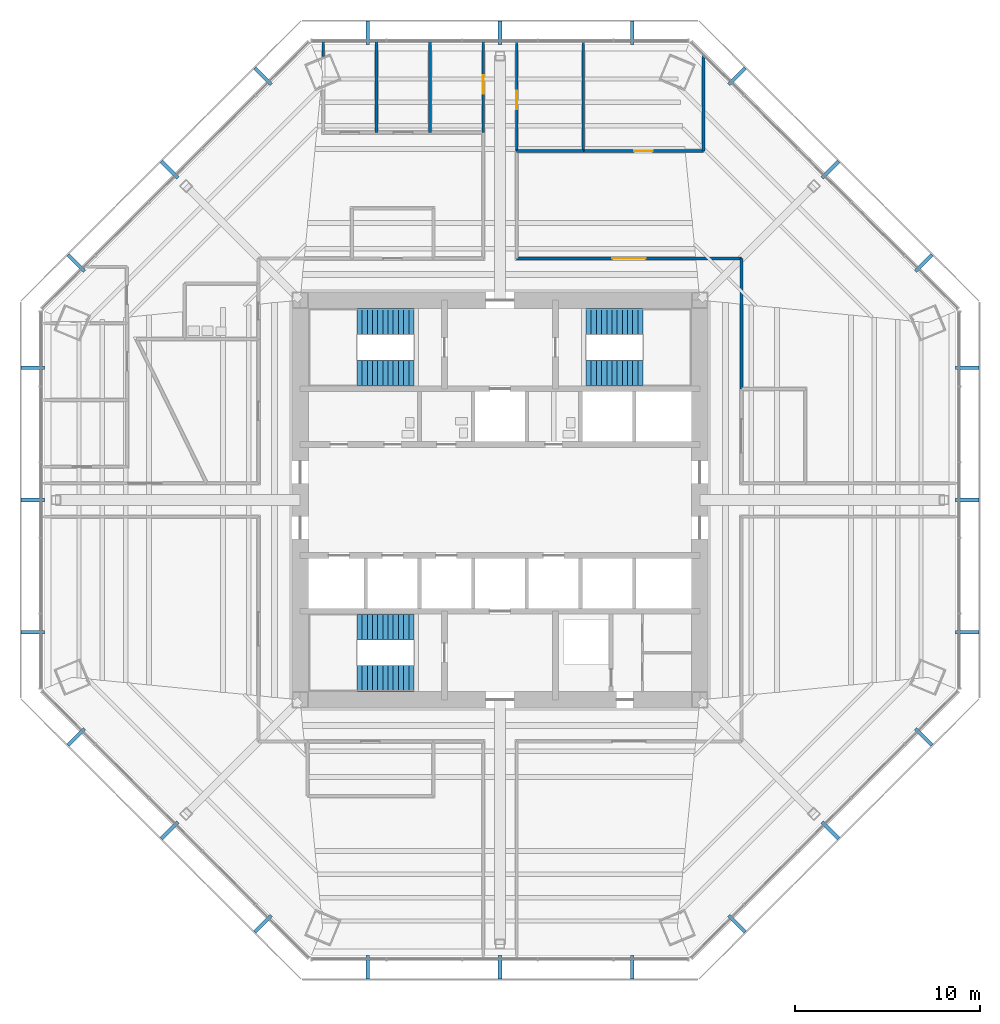
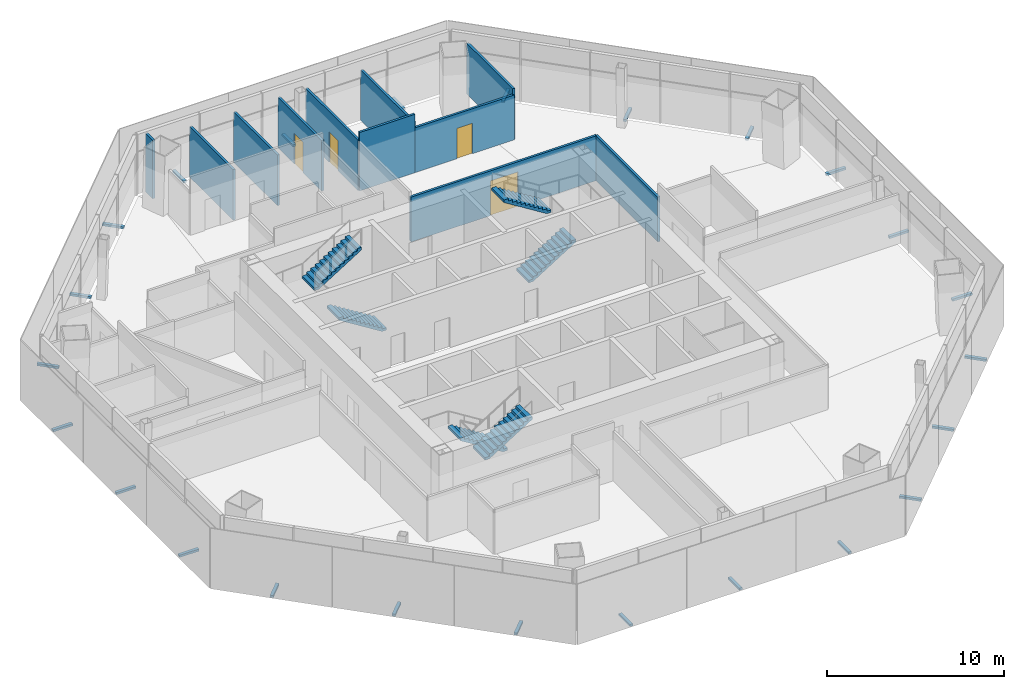
# One storey, part 11 of 14: 24 discrete accessories, 11 walls, 6 stair flights, 4 doors, 4 openings, 3 elements without a shape of their own.
"""IFC4 building model written with IfcOpenShell, lengths in metres."""

import ifcopenshell
import ifcopenshell.guid

model = None  # the IFC model being written
_history = None  # IfcOwnerHistory: only IFC2X3 demands one
_inside = {}  # id of a spatial element -> (the spatial element, [elements in it])
_under = {}  # id of a project, library or spatial element -> (it, [spatial elements below it])
_declared = {}  # id of a project -> (the project, [libraries it declares])
_typed = {}  # id of a type object -> (the type object, [elements of that type])
_made_of = {}  # id of a material, layer set ... -> (it, [elements and type objects made of it])


def new_model(schema):
    """Start an empty IFC model of exactly this schema.

    Asked for "IFC4X3", IfcOpenShell would pick the latest addendum, in which some entities
    have other attributes; the version numbers below select the first issue.
    IFC2X3 requires an IfcOwnerHistory on every rooted entity: one is made here for all.
    """
    global model, _history
    if schema == "IFC4X3":
        model = ifcopenshell.file(schema_version=(4, 3, 0, 0))
    else:
        model = ifcopenshell.file(schema=schema)
    _inside.clear()
    _under.clear()
    _declared.clear()
    _typed.clear()
    _made_of.clear()
    _history = None
    if model.schema == "IFC2X3":
        org = make("IfcOrganization", Name="unknown")
        user = make(
            "IfcPersonAndOrganization",
            ThePerson=make("IfcPerson", FamilyName="unknown"),
            TheOrganization=org,
        )
        app = make(
            "IfcApplication",
            ApplicationDeveloper=org,
            Version="unknown",
            ApplicationFullName="unknown",
            ApplicationIdentifier="unknown",
        )
        _history = make(
            "IfcOwnerHistory",
            OwningUser=user,
            OwningApplication=app,
            ChangeAction="ADDED",
            CreationDate=0,
        )
    return model


def make(cls, **values):
    """One entity of the class cls with the attributes given. An attribute that is None is left unset."""
    return model.create_entity(
        cls, **{name: value for name, value in values.items() if value is not None}
    )


def rooted(cls, **values):
    """An entity with a GlobalId (a new one), such as an element, a storey or a relation."""
    return make(cls, GlobalId=ifcopenshell.guid.new(), OwnerHistory=_history, **values)


def si_unit(unit_type, name, prefix=None):
    """IfcSIUnit, for example si_unit("LENGTHUNIT", "METRE", prefix="MILLI")."""
    return make("IfcSIUnit", UnitType=unit_type, Prefix=prefix, Name=name)


def assignment(units):
    """IfcUnitAssignment: the units of a project."""
    return None if units is None else make("IfcUnitAssignment", Units=units)


def point(xyz):
    """IfcCartesianPoint."""
    return None if xyz is None else make("IfcCartesianPoint", Coordinates=xyz)


def direction(xyz):
    """IfcDirection."""
    return None if xyz is None else make("IfcDirection", DirectionRatios=xyz)


def frame(location, z_axis=None, x_axis=None):
    """IfcAxis2Placement3D, a coordinate frame: its origin and axes. An axis left out is left unset."""
    return make(
        "IfcAxis2Placement3D",
        Location=point(location),
        Axis=direction(z_axis),
        RefDirection=direction(x_axis),
    )


def frame_2d(location, x_axis=None):
    """IfcAxis2Placement2D, a coordinate frame in the plane: its origin and x axis."""
    return make(
        "IfcAxis2Placement2D", Location=point(location), RefDirection=direction(x_axis)
    )


def origin():
    """The frame at (0, 0, 0) with its axes left unset."""
    return frame((0.0, 0.0, 0.0))


def origin_2d():
    """The frame at (0, 0) in the plane with its x axis left unset."""
    return frame_2d((0.0, 0.0))


def place(relative_to, where):
    """IfcLocalPlacement: puts the frame where relative to a parent placement (None: the world)."""
    return make(
        "IfcLocalPlacement", PlacementRelTo=relative_to, RelativePlacement=where
    )


def context(
    kind, dimensions, precision=None, world=None, true_north=None, identifier=None
):
    """IfcGeometricRepresentationContext, for example the 3D "Model" context."""
    return make(
        "IfcGeometricRepresentationContext",
        ContextIdentifier=identifier,
        ContextType=kind,
        CoordinateSpaceDimension=dimensions,
        Precision=precision,
        WorldCoordinateSystem=world,
        TrueNorth=true_north,
    )


def subcontext(parent, identifier, kind, view, scale=None):
    """IfcGeometricRepresentationSubContext, for example "Body" below "Model"."""
    return make(
        "IfcGeometricRepresentationSubContext",
        ContextIdentifier=identifier,
        ContextType=kind,
        ParentContext=parent,
        TargetScale=scale,
        TargetView=view,
    )


def project(units=None, contexts=None):
    """IfcProject with its units and contexts."""
    return rooted(
        "IfcProject",
        Name="project",
        RepresentationContexts=contexts,
        UnitsInContext=assignment(units),
    )


def spatial(cls, under=None, at=None, **own):
    """A site, building, storey or space (cls), placed at a placement, below another one or the project."""
    s = rooted(cls, ObjectPlacement=at, **own)
    if under is not None:
        _under.setdefault(under.id(), (under, []))[1].append(s)
    return s


def polyline(points):
    """IfcPolyline through the points."""
    return make("IfcPolyline", Points=[point(p) for p in points])


def profile(cls, at=None, kind="AREA", **sizes):
    """A parametric profile (cls). Its sizes go by their IFC names, for example OverallWidth=200.0."""
    return make(cls, ProfileType=kind, Position=at, **sizes)


def rectangle(**sizes):
    """IfcRectangleProfileDef."""
    return profile("IfcRectangleProfileDef", **sizes)


def outline(outer, holes=None, kind="AREA"):
    """IfcArbitraryClosedProfileDef: a profile drawn as a closed curve; with holes, ...WithVoids."""
    if holes is None:
        return make("IfcArbitraryClosedProfileDef", ProfileType=kind, OuterCurve=outer)
    return make(
        "IfcArbitraryProfileDefWithVoids",
        ProfileType=kind,
        OuterCurve=outer,
        InnerCurves=holes,
    )


def extrude(swept, where, along, depth):
    """IfcExtrudedAreaSolid: the profile swept, set in the frame where, extruded along a direction by depth."""
    return make(
        "IfcExtrudedAreaSolid",
        SweptArea=swept,
        Position=where,
        ExtrudedDirection=direction(along),
        Depth=depth,
    )


def shape(context_of_items, identifier, shape_type, items):
    """IfcShapeRepresentation: the items that make up one representation, for example the "Body"."""
    return make(
        "IfcShapeRepresentation",
        ContextOfItems=context_of_items,
        RepresentationIdentifier=identifier,
        RepresentationType=shape_type,
        Items=items,
    )


def source(mapping_origin, context_of_items, identifier, shape_type, items):
    """IfcRepresentationMap: a shape defined once, which mapped items show again and again."""
    return make(
        "IfcRepresentationMap",
        MappingOrigin=mapping_origin,
        MappedRepresentation=shape(context_of_items, identifier, shape_type, items),
    )


def transform(
    local_origin,
    x_axis=None,
    y_axis=None,
    z_axis=None,
    scale=None,
    scale2=None,
    scale3=None,
    uniform=True,
):
    """IfcCartesianTransformationOperator3D, or its non-uniform kind. x_axis, y_axis, z_axis: its Axis1, 2, 3."""
    if uniform:
        return make(
            "IfcCartesianTransformationOperator3D",
            Axis1=direction(x_axis),
            Axis2=direction(y_axis),
            LocalOrigin=point(local_origin),
            Scale=scale,
            Axis3=direction(z_axis),
        )
    return make(
        "IfcCartesianTransformationOperator3DnonUniform",
        Axis1=direction(x_axis),
        Axis2=direction(y_axis),
        LocalOrigin=point(local_origin),
        Scale=scale,
        Axis3=direction(z_axis),
        Scale2=scale2,
        Scale3=scale3,
    )


def mapped(mapping_source, mapping_target):
    """IfcMappedItem: shows the shape of a source again, moved by a transform."""
    return make(
        "IfcMappedItem", MappingSource=mapping_source, MappingTarget=mapping_target
    )


def material(Name=None, Category=None):
    """IfcMaterial."""
    return make("IfcMaterial", Name=Name, Category=Category)


def layer(
    of_material, thickness, ventilated=None, Name=None, Category=None, Priority=None
):
    """IfcMaterialLayer: one layer of a wall or slab, of a material (None: an air gap)."""
    return make(
        "IfcMaterialLayer",
        Material=of_material,
        LayerThickness=thickness,
        IsVentilated=ventilated,
        Name=Name,
        Category=Category,
        Priority=Priority,
    )


def layer_set(layers, Name=None):
    """IfcMaterialLayerSet."""
    return make("IfcMaterialLayerSet", MaterialLayers=layers, LayerSetName=Name)


def made_of(thing, what):
    """Note that an element or type object is made of a material, layer set ...; save() writes the relation."""
    if what is not None:
        _made_of.setdefault(what.id(), (what, []))[1].append(thing)
    return thing


def type_object(cls, material=None, **own):
    """A type object (cls), such as IfcWallType, which elements share."""
    return made_of(rooted(cls, **own), material)


def type_shapes(of_type, sources):
    """Give a type object the sources (RepresentationMaps) that its elements show as mapped items."""
    of_type.RepresentationMaps = sources


def element(
    cls,
    number,
    at=None,
    inside=None,
    cuts=None,
    type_object=None,
    material=None,
    context=None,
    identifier="Body",
    shape_type=None,
    held_by="IfcProductDefinitionShape",
    body=None,
    shapes=None,
    **own,
):
    """One element of the class cls, such as IfcWall. Its Tag is "e" and its number.

    at: its placement. inside: the storey or other place that contains it. cuts: it is an
    opening in that element (IfcRelVoidsElement). A single representation is given by context,
    identifier, shape_type and body (its items); several are given by shapes. held_by: the class
    of the entity that holds the representations. save() writes the other relations.
    """
    e = rooted(cls, Tag="e%d" % number, ObjectPlacement=at, **own)
    if body is not None:
        shapes = [shape(context, identifier, shape_type, body)]
    if shapes is not None:
        e.Representation = make(held_by, Representations=shapes)
    if inside is not None:
        _inside.setdefault(inside.id(), (inside, []))[1].append(e)
    if cuts is not None:
        rooted(
            "IfcRelVoidsElement", RelatingBuildingElement=cuts, RelatedOpeningElement=e
        )
    if type_object is not None:
        _typed.setdefault(type_object.id(), (type_object, []))[1].append(e)
    return made_of(e, material)


def fill(opening, filler):
    """IfcRelFillsElement: the door or window that sits in an opening."""
    return rooted(
        "IfcRelFillsElement",
        RelatingOpeningElement=opening,
        RelatedBuildingElement=filler,
    )


def aggregate(whole, parts):
    """IfcRelAggregates: a whole, such as a stair, and the parts it consists of."""
    return rooted("IfcRelAggregates", RelatingObject=whole, RelatedObjects=parts)


def save(model, path):
    """Write the relations noted so far, then the file.

    IfcRelAggregates (storeys below a building ...), IfcRelContainedInSpatialStructure (elements
    in a storey), IfcRelDefinesByType, IfcRelAssociatesMaterial and IfcRelDeclares: one each for
    every whole, place, type object, material and project.
    """
    for whole, parts in _under.values():
        aggregate(whole, parts)
    for where, things in _inside.values():
        rooted(
            "IfcRelContainedInSpatialStructure",
            RelatedElements=things,
            RelatingStructure=where,
        )
    for kind, things in _typed.values():
        rooted("IfcRelDefinesByType", RelatedObjects=things, RelatingType=kind)
    for what, things in _made_of.values():
        rooted("IfcRelAssociatesMaterial", RelatedObjects=things, RelatingMaterial=what)
    for by, libraries in _declared.values():
        rooted("IfcRelDeclares", RelatingContext=by, RelatedDefinitions=libraries)
    model.write(path)


model = new_model("IFC4")

# Units and contexts
model_context = context("Model", 3, precision=1e-05, world=origin(), true_north=direction((0.0, 1.0)))
body_context = subcontext(model_context, "Body", "Model", "MODEL_VIEW")
ifc_project = project(units=[si_unit("LENGTHUNIT", "METRE"), si_unit("AREAUNIT", "SQUARE_METRE"), si_unit("VOLUMEUNIT", "CUBIC_METRE"), si_unit("PLANEANGLEUNIT", "RADIAN"), si_unit("MASSUNIT", "GRAM", prefix="KILO")], contexts=[model_context])

# Site, building, storey
site_placement = place(None, origin())
site = spatial("IfcSite", under=ifc_project, at=site_placement, CompositionType="ELEMENT")
building_placement = place(site_placement, origin())
building = spatial("IfcBuilding", under=site, at=building_placement, Name="Mashrafa Tower", CompositionType="ELEMENT")
storey_placement = place(building_placement, frame((0.0, 0.0, 113.39990234375)))
storey = spatial("IfcBuildingStorey", under=building, at=storey_placement, Name="L25", CompositionType="ELEMENT", Elevation=113.39990234375)

# Wall, opening, door
ifc_material_1 = material(Name="Gypsum board on steel studs", Category="steel")
ifc_layer_1 = layer(ifc_material_1, 0.14990234375)
ifc_layer_set_1 = layer_set([ifc_layer_1], Name="Corridor partition 150 1 hr")
wall_type_1 = type_object("IfcWallType", Name="Corridor partition 150 1 hr", PredefinedType="PARTITIONING", material=ifc_layer_set_1)
wall_1_placement = place(storey_placement, frame((0.89990234375, 18.855712890625, 0.0), z_axis=(0.0, 0.0, 1.0), x_axis=(0.0, 1.0, 0.0)))
wall_1 = element("IfcWall", 1, at=wall_1_placement, inside=storey, type_object=wall_type_1, Name="Corridor wall L25-006", PredefinedType="PARTITIONING", context=body_context, shape_type="SweptSolid", body=[
    extrude(rectangle(XDim=5.93505859375, YDim=0.14990234375, at=frame_2d((2.967529296875, 0.0))), origin(), (0.0, 0.0, 1.0), 3.49169921875),
])
opening_1_placement = place(wall_1_placement, frame((2.25048828125, 0.0, 0.0)))
opening_1 = element("IfcOpeningElement", 2, at=opening_1_placement, cuts=wall_1, Name="Opening 25.005", PredefinedType="OPENING", context=body_context, shape_type="SweptSolid", body=[
    extrude(rectangle(XDim=1.0, YDim=2.10009765625, at=frame_2d((0.5, 1.050048828125))), frame((0.0, 0.0849609375, 0.0), z_axis=(0.0, -1.0, 0.0), x_axis=(1.0, 0.0, 0.0)), (0.0, 0.0, 1.0), 0.169921875),
])
ifc_material_2 = material(Name="Timber door", Category="wood")
door_type_1 = type_object("IfcDoorType", Name="Door 1000 x 2100", OperationType="USERDEFINED", PredefinedType="DOOR", material=ifc_material_2)
door_1_placement = place(opening_1_placement, frame((1.0, 0.0, 0.0), z_axis=(0.0, 0.0, 1.0), x_axis=(-1.0, 0.0, 0.0)))
door_1 = element("IfcDoor", 3, at=door_1_placement, inside=storey, type_object=door_type_1, Name="Secretary's Office 25 door", OperationType="SINGLE_SWING_RIGHT", OverallHeight=2.10009765625, OverallWidth=1.0, PredefinedType="DOOR", context=body_context, shape_type="SweptSolid", body=[
    extrude(rectangle(XDim=1.0, YDim=2.10009765625, at=frame_2d((0.5, 1.050048828125))), frame((0.0, 0.02490234375, 0.0), z_axis=(0.0, -1.0, 0.0), x_axis=(1.0, 0.0, 0.0)), (0.0, 0.0, 1.0), 0.050048828125),
])
fill(opening_1, door_1)

wall_2_placement = place(storey_placement, frame((-0.89990234375, 24.790771484375, 0.0), z_axis=(0.0, 0.0, 1.0), x_axis=(0.0, -1.0, 0.0)))
wall_2 = element("IfcWall", 4, at=wall_2_placement, inside=storey, type_object=wall_type_1, Name="Corridor wall L25-009", PredefinedType="PARTITIONING", context=body_context, shape_type="SweptSolid", body=[
    extrude(rectangle(XDim=4.93505859375, YDim=0.14990234375, at=frame_2d((2.467529296875, 0.0))), origin(), (0.0, 0.0, 1.0), 3.49169921875),
])
opening_2_placement = place(wall_2_placement, frame((1.849609375, 0.0, 0.0)))
opening_2 = element("IfcOpeningElement", 5, at=opening_2_placement, cuts=wall_2, Name="Opening 25.011", PredefinedType="OPENING", context=body_context, shape_type="SweptSolid", body=[
    extrude(rectangle(XDim=1.0, YDim=2.10009765625, at=frame_2d((0.5, 1.050048828125))), frame((0.0, 0.0849609375, 0.0), z_axis=(0.0, -1.0, 0.0), x_axis=(1.0, 0.0, 0.0)), (0.0, 0.0, 1.0), 0.169921875),
])
door_2_placement = place(opening_2_placement, frame((1.0, 0.0, 0.0), z_axis=(0.0, 0.0, 1.0), x_axis=(-1.0, 0.0, 0.0)))
door_2 = element("IfcDoor", 6, at=door_2_placement, inside=storey, type_object=door_type_1, Name="Meeting Room 25-1 door", OperationType="SINGLE_SWING_RIGHT", OverallHeight=2.10009765625, OverallWidth=1.0, PredefinedType="DOOR", context=body_context, shape_type="SweptSolid", body=[
    extrude(rectangle(XDim=1.0, YDim=2.10009765625, at=frame_2d((0.5, 1.050048828125))), frame((0.0, 0.02490234375, 0.0), z_axis=(0.0, -1.0, 0.0), x_axis=(1.0, 0.0, 0.0)), (0.0, 0.0, 1.0), 0.050048828125),
])
fill(opening_2, door_2)

# Wall
wall_3_placement = place(storey_placement, frame((13.050048828125, 5.9990234375, 0.0), z_axis=(0.0, 0.0, 1.0), x_axis=(0.0, 1.0, 0.0)))
element("IfcWall", 7, at=wall_3_placement, inside=storey, type_object=wall_type_1, Name="Corridor wall L25-010", PredefinedType="PARTITIONING", context=body_context, shape_type="SweptSolid", body=[
    extrude(rectangle(XDim=7.051025390625, YDim=0.14990234375, at=frame_2d((3.525390625, 0.0))), origin(), (0.0, 0.0, 1.0), 3.097900390625),
])

# Wall, opening, door
wall_4_placement = place(storey_placement, frame((13.050048828125, 13.050048828125, 0.0), z_axis=(0.0, 0.0, 1.0), x_axis=(-1.0, 0.0, 0.0)))
wall_4 = element("IfcWall", 8, at=wall_4_placement, inside=storey, type_object=wall_type_1, Name="Corridor wall L25-011", PredefinedType="PARTITIONING", context=body_context, shape_type="SweptSolid", body=[
    extrude(rectangle(XDim=12.150146484375, YDim=0.14990234375, at=frame_2d((6.0751953125, 0.0))), origin(), (0.0, 0.0, 1.0), 3.097900390625),
])
opening_3_placement = place(wall_4_placement, frame((5.175048828125, 0.0, 0.0)))
opening_3 = element("IfcOpeningElement", 9, at=opening_3_placement, cuts=wall_4, Name="Opening 25.014", PredefinedType="OPENING", context=body_context, shape_type="SweptSolid", body=[
    extrude(rectangle(XDim=1.800048828125, YDim=2.39990234375, at=frame_2d((0.89990234375, 1.199951171875))), frame((0.0, 0.0849609375, 0.0), z_axis=(0.0, -1.0, 0.0), x_axis=(1.0, 0.0, 0.0)), (0.0, 0.0, 1.0), 0.169921875),
])
ifc_material_3 = material(Name="Timber door", Category="wood")
door_type_2 = type_object("IfcDoorType", Name="Door pair 1800 x 2400", OperationType="DOUBLE_DOOR_SINGLE_SWING", PredefinedType="DOOR", material=ifc_material_3)
door_3_placement = place(opening_3_placement, frame((1.800048828125, 0.0, 0.0), z_axis=(0.0, 0.0, 1.0), x_axis=(-1.0, 0.0, 0.0)))
door_3 = element("IfcDoor", 10, at=door_3_placement, inside=storey, type_object=door_type_2, Name="Agency Services Office 25-NE door", OperationType="DOUBLE_DOOR_SINGLE_SWING", OverallHeight=2.39990234375, OverallWidth=1.800048828125, PredefinedType="DOOR", context=body_context, shape_type="SweptSolid", body=[
    extrude(rectangle(XDim=1.800048828125, YDim=2.39990234375, at=frame_2d((0.89990234375, 1.199951171875))), frame((0.0, 0.02490234375, 0.0), z_axis=(0.0, -1.0, 0.0), x_axis=(1.0, 0.0, 0.0)), (0.0, 0.0, 1.0), 0.050048828125),
])
fill(opening_3, door_3)

# Wall
ifc_material_4 = material(Name="Gypsum board on steel studs", Category="steel")
ifc_layer_2 = layer(ifc_material_4, 0.14990234375)
ifc_layer_set_2 = layer_set([ifc_layer_2], Name="Partition 150")
wall_type_2 = type_object("IfcWallType", Name="Partition 150", PredefinedType="PARTITIONING", material=ifc_layer_set_2)
wall_5_placement = place(storey_placement, frame((4.5, 24.788818359375, 0.0), z_axis=(0.0, 0.0, 1.0), x_axis=(0.0, -1.0, 0.0)))
element("IfcWall", 11, at=wall_5_placement, inside=storey, type_object=wall_type_2, Name="Partition wall L25-035", PredefinedType="PARTITIONING", context=body_context, shape_type="SweptSolid", body=[
    extrude(rectangle(XDim=5.93212890625, YDim=0.14990234375, at=frame_2d((2.966064453125, 0.0))), origin(), (0.0, 0.0, 1.0), 3.49169921875),
])

# Wall, opening, door
wall_6_placement = place(storey_placement, frame((4.5, 18.856689453125, 0.0), z_axis=(0.0, 0.0, 1.0), x_axis=(1.0, 0.0, 0.0)))
wall_6 = element("IfcWall", 12, at=wall_6_placement, inside=storey, type_object=wall_type_2, Name="Partition wall L25-036", PredefinedType="PARTITIONING", context=body_context, shape_type="SweptSolid", body=[
    extrude(rectangle(XDim=6.5, YDim=0.14990234375, at=frame_2d((3.25, 0.0))), origin(), (0.0, 0.0, 1.0), 3.097900390625),
])
opening_4_placement = place(wall_6_placement, frame((2.75, 0.0, 0.0)))
opening_4 = element("IfcOpeningElement", 13, at=opening_4_placement, cuts=wall_6, Name="Opening 25.004", PredefinedType="OPENING", context=body_context, shape_type="SweptSolid", body=[
    extrude(rectangle(XDim=1.0, YDim=2.10009765625, at=frame_2d((0.5, 1.050048828125))), frame((0.0, 0.0849609375, 0.0), z_axis=(0.0, -1.0, 0.0), x_axis=(1.0, 0.0, 0.0)), (0.0, 0.0, 1.0), 0.169921875),
])
door_4_placement = place(opening_4_placement, origin())
door_4 = element("IfcDoor", 14, at=door_4_placement, inside=storey, type_object=door_type_1, Name="Director General's Office 25-NE door", OperationType="SINGLE_SWING_RIGHT", OverallHeight=2.10009765625, OverallWidth=1.0, PredefinedType="DOOR", context=body_context, shape_type="SweptSolid", body=[
    extrude(rectangle(XDim=1.0, YDim=2.10009765625, at=frame_2d((0.5, 1.050048828125))), frame((0.0, 0.02490234375, 0.0), z_axis=(0.0, -1.0, 0.0), x_axis=(1.0, 0.0, 0.0)), (0.0, 0.0, 1.0), 0.050048828125),
])
fill(opening_4, door_4)

# Walls
wall_7_placement = place(storey_placement, frame((11.0, 18.856689453125, 0.0), z_axis=(0.0, 0.0, 1.0), x_axis=(0.0, 1.0, 0.0)))
element("IfcWall", 15, at=wall_7_placement, inside=storey, type_object=wall_type_2, Name="Partition wall L25-037", PredefinedType="PARTITIONING", context=body_context, shape_type="SweptSolid", body=[
    extrude(rectangle(XDim=5.20166015625, YDim=0.14990234375, at=frame_2d((2.600830078125, 0.0))), origin(), (0.0, 0.0, 1.0), 3.499267578125),
])
wall_8_placement = place(storey_placement, frame((0.89990234375, 18.856689453125, 0.0), z_axis=(0.0, 0.0, 1.0), x_axis=(1.0, 0.0, 0.0)))
element("IfcWall", 16, at=wall_8_placement, inside=storey, type_object=wall_type_2, Name="Partition wall L25-038", PredefinedType="PARTITIONING", context=body_context, shape_type="SweptSolid", body=[
    extrude(rectangle(XDim=3.60009765625, YDim=0.14990234375, at=frame_2d((1.800048828125, 0.0))), origin(), (0.0, 0.0, 1.0), 4.03515625),
])
for number, where, z_axis, x_axis, name in (
    (17, (-3.784912109375, 24.788818359375, 0.0), (0.0, 0.0, 1.0), (0.0, -1.0, 0.0), "Partition wall L25-053"),
    (18, (-6.6708984375, 24.788818359375, 0.0), (0.0, 0.0, 1.0), (0.0, -1.0, 0.0), "Partition wall L25-055"),
):
    element("IfcWall", number, at=place(storey_placement, frame(where, z_axis=z_axis, x_axis=x_axis)), inside=storey, type_object=wall_type_2, Name=name, PredefinedType="PARTITIONING", context=body_context, shape_type="SweptSolid", body=[
        extrude(rectangle(XDim=4.93212890625, YDim=0.14990234375, at=frame_2d((2.466064453125, 0.0))), origin(), (0.0, 0.0, 1.0), 3.49169921875),
    ])
wall_9_placement = place(storey_placement, frame((-9.555908203125, 24.788818359375, 0.0), z_axis=(0.0, 0.0, 1.0), x_axis=(0.0, -1.0, 0.0)))
element("IfcWall", 19, at=wall_9_placement, inside=storey, type_object=wall_type_2, Name="Partition wall L25-057", PredefinedType="PARTITIONING", context=body_context, shape_type="SweptSolid", body=[
    extrude(rectangle(XDim=0.817626953125, YDim=0.14990234375, at=frame_2d((0.40869140625, 0.0))), origin(), (0.0, 0.0, 1.0), 4.03515625),
])

# Stair, stair flights
ifc_material_5 = material(Name="Exit stair 1400")
stair_type = type_object("IfcStairType", Name="Exit stair 1400", PredefinedType="HALF_TURN_STAIR", material=ifc_material_5)
stair_1_placement = place(storey_placement, origin())
stair_1 = element("IfcStair", 20, at=stair_1_placement, inside=storey, type_object=stair_type, Name="Stair S1 L25", PredefinedType="HALF_TURN_STAIR")
ifc_material_6 = material(Name="Concrete C32/40", Category="concrete")
stair_flight_type = type_object("IfcStairFlightType", Name="Stair flight 1400", PredefinedType="STRAIGHT", material=ifc_material_6)
stair_flight_1_placement = place(storey_placement, frame((-4.64990234375, 6.85009765625, 0.0), z_axis=(0.0, 0.0, 1.0), x_axis=(-1.0, 0.0, 0.0)))
stair_flight_1 = element("IfcStairFlight", 21, at=stair_flight_1_placement, type_object=stair_flight_type, Name="S1 flight 1", NumberOfRisers=12, NumberOfTreads=11, PredefinedType="STRAIGHT", RiserHeight=0.175, TreadLength=0.28, context=body_context, shape_type="SweptSolid", body=[
    extrude(outline(polyline([(0.0, 0.0), (0.0, 0.175048828125), (0.280029296875, 0.175048828125), (0.280029296875, 0.35009765625), (0.56005859375, 0.35009765625), (0.56005859375, 0.52490234375), (0.840087890625, 0.52490234375), (0.840087890625, 0.699951171875), (1.1201171875, 0.699951171875), (1.1201171875, 0.875), (1.39990234375, 0.875), (1.39990234375, 1.050048828125), (1.679931640625, 1.050048828125), (1.679931640625, 1.22509765625), (1.9599609375, 1.22509765625), (1.9599609375, 1.39990234375), (2.239990234375, 1.39990234375), (2.239990234375, 1.574951171875), (2.52001953125, 1.574951171875), (2.52001953125, 1.75), (2.800048828125, 1.75), (2.800048828125, 1.925048828125), (3.080078125, 1.925048828125), (3.080078125, 2.10009765625), (3.080078125, 1.748291015625), (0.28271484375, 0.0), (0.0, 0.0)])), frame((0.0, 0.699951171875, 0.0), z_axis=(0.0, -1.0, 0.0), x_axis=(1.0, 0.0, 0.0)), (0.0, 0.0, 1.0), 1.39990234375),
])
stair_flight_2_placement = place(storey_placement, frame((-7.72998046875, 9.64990234375, 2.10009765625), z_axis=(0.0, 0.0, 1.0), x_axis=(1.0, 0.0, 0.0)))
stair_flight_2 = element("IfcStairFlight", 22, at=stair_flight_2_placement, type_object=stair_flight_type, Name="S1 flight 2", NumberOfRisers=12, NumberOfTreads=11, PredefinedType="STRAIGHT", RiserHeight=0.175, TreadLength=0.28, context=body_context, shape_type="SweptSolid", body=[
    extrude(outline(polyline([(0.0, 0.0), (0.0, 0.175048828125), (0.280029296875, 0.175048828125), (0.280029296875, 0.35009765625), (0.56005859375, 0.35009765625), (0.56005859375, 0.52490234375), (0.840087890625, 0.52490234375), (0.840087890625, 0.699951171875), (1.1201171875, 0.699951171875), (1.1201171875, 0.875), (1.39990234375, 0.875), (1.39990234375, 1.050048828125), (1.679931640625, 1.050048828125), (1.679931640625, 1.22509765625), (1.9599609375, 1.22509765625), (1.9599609375, 1.39990234375), (2.239990234375, 1.39990234375), (2.239990234375, 1.574951171875), (2.52001953125, 1.574951171875), (2.52001953125, 1.75), (2.800048828125, 1.75), (2.800048828125, 1.925048828125), (3.080078125, 1.925048828125), (3.080078125, 2.10009765625), (3.080078125, 1.748291015625), (0.28271484375, 0.0), (0.0, 0.0)])), frame((0.0, 0.699951171875, 0.0), z_axis=(0.0, -1.0, 0.0), x_axis=(1.0, 0.0, 0.0)), (0.0, 0.0, 1.0), 1.39990234375),
])
aggregate(stair_1, [stair_flight_1, stair_flight_2])

stair_2_placement = place(storey_placement, origin())
stair_2 = element("IfcStair", 23, at=stair_2_placement, inside=storey, type_object=stair_type, Name="Stair S2 L25", PredefinedType="HALF_TURN_STAIR")
stair_flight_3_placement = place(storey_placement, frame((4.64990234375, 6.85009765625, 0.0), z_axis=(0.0, 0.0, 1.0), x_axis=(1.0, 0.0, 0.0)))
stair_flight_3 = element("IfcStairFlight", 24, at=stair_flight_3_placement, type_object=stair_flight_type, Name="S2 flight 1", NumberOfRisers=12, NumberOfTreads=11, PredefinedType="STRAIGHT", RiserHeight=0.175, TreadLength=0.28, context=body_context, shape_type="SweptSolid", body=[
    extrude(outline(polyline([(0.0, 0.0), (0.0, 0.175048828125), (0.280029296875, 0.175048828125), (0.280029296875, 0.35009765625), (0.56005859375, 0.35009765625), (0.56005859375, 0.52490234375), (0.840087890625, 0.52490234375), (0.840087890625, 0.699951171875), (1.1201171875, 0.699951171875), (1.1201171875, 0.875), (1.39990234375, 0.875), (1.39990234375, 1.050048828125), (1.679931640625, 1.050048828125), (1.679931640625, 1.22509765625), (1.9599609375, 1.22509765625), (1.9599609375, 1.39990234375), (2.239990234375, 1.39990234375), (2.239990234375, 1.574951171875), (2.52001953125, 1.574951171875), (2.52001953125, 1.75), (2.800048828125, 1.75), (2.800048828125, 1.925048828125), (3.080078125, 1.925048828125), (3.080078125, 2.10009765625), (3.080078125, 1.748291015625), (0.28271484375, 0.0), (0.0, 0.0)])), frame((0.0, 0.699951171875, 0.0), z_axis=(0.0, -1.0, 0.0), x_axis=(1.0, 0.0, 0.0)), (0.0, 0.0, 1.0), 1.39990234375),
])
stair_flight_4_placement = place(storey_placement, frame((7.72998046875, 9.64990234375, 2.10009765625), z_axis=(0.0, 0.0, 1.0), x_axis=(-1.0, 0.0, 0.0)))
stair_flight_4 = element("IfcStairFlight", 25, at=stair_flight_4_placement, type_object=stair_flight_type, Name="S2 flight 2", NumberOfRisers=12, NumberOfTreads=11, PredefinedType="STRAIGHT", RiserHeight=0.175, TreadLength=0.28, context=body_context, shape_type="SweptSolid", body=[
    extrude(outline(polyline([(0.0, 0.0), (0.0, 0.175048828125), (0.280029296875, 0.175048828125), (0.280029296875, 0.35009765625), (0.56005859375, 0.35009765625), (0.56005859375, 0.52490234375), (0.840087890625, 0.52490234375), (0.840087890625, 0.699951171875), (1.1201171875, 0.699951171875), (1.1201171875, 0.875), (1.39990234375, 0.875), (1.39990234375, 1.050048828125), (1.679931640625, 1.050048828125), (1.679931640625, 1.22509765625), (1.9599609375, 1.22509765625), (1.9599609375, 1.39990234375), (2.239990234375, 1.39990234375), (2.239990234375, 1.574951171875), (2.52001953125, 1.574951171875), (2.52001953125, 1.75), (2.800048828125, 1.75), (2.800048828125, 1.925048828125), (3.080078125, 1.925048828125), (3.080078125, 2.10009765625), (3.080078125, 1.748291015625), (0.28271484375, 0.0), (0.0, 0.0)])), frame((0.0, 0.699951171875, 0.0), z_axis=(0.0, -1.0, 0.0), x_axis=(1.0, 0.0, 0.0)), (0.0, 0.0, 1.0), 1.39990234375),
])
aggregate(stair_2, [stair_flight_3, stair_flight_4])

stair_3_placement = place(storey_placement, origin())
stair_3 = element("IfcStair", 26, at=stair_3_placement, inside=storey, type_object=stair_type, Name="Stair S3 L25", PredefinedType="HALF_TURN_STAIR")
stair_flight_5_placement = place(storey_placement, frame((-4.64990234375, -6.85009765625, 0.0), z_axis=(0.0, 0.0, 1.0), x_axis=(-1.0, 0.0, 0.0)))
stair_flight_5 = element("IfcStairFlight", 27, at=stair_flight_5_placement, type_object=stair_flight_type, Name="S3 flight 1", NumberOfRisers=12, NumberOfTreads=11, PredefinedType="STRAIGHT", RiserHeight=0.175, TreadLength=0.28, context=body_context, shape_type="SweptSolid", body=[
    extrude(outline(polyline([(0.0, 0.0), (0.0, 0.175048828125), (0.280029296875, 0.175048828125), (0.280029296875, 0.35009765625), (0.56005859375, 0.35009765625), (0.56005859375, 0.52490234375), (0.840087890625, 0.52490234375), (0.840087890625, 0.699951171875), (1.1201171875, 0.699951171875), (1.1201171875, 0.875), (1.39990234375, 0.875), (1.39990234375, 1.050048828125), (1.679931640625, 1.050048828125), (1.679931640625, 1.22509765625), (1.9599609375, 1.22509765625), (1.9599609375, 1.39990234375), (2.239990234375, 1.39990234375), (2.239990234375, 1.574951171875), (2.52001953125, 1.574951171875), (2.52001953125, 1.75), (2.800048828125, 1.75), (2.800048828125, 1.925048828125), (3.080078125, 1.925048828125), (3.080078125, 2.10009765625), (3.080078125, 1.748291015625), (0.28271484375, 0.0), (0.0, 0.0)])), frame((0.0, 0.699951171875, 0.0), z_axis=(0.0, -1.0, 0.0), x_axis=(1.0, 0.0, 0.0)), (0.0, 0.0, 1.0), 1.39990234375),
])
stair_flight_6_placement = place(storey_placement, frame((-7.72998046875, -9.64990234375, 2.10009765625), z_axis=(0.0, 0.0, 1.0), x_axis=(1.0, 0.0, 0.0)))
stair_flight_6 = element("IfcStairFlight", 28, at=stair_flight_6_placement, type_object=stair_flight_type, Name="S3 flight 2", NumberOfRisers=12, NumberOfTreads=11, PredefinedType="STRAIGHT", RiserHeight=0.175, TreadLength=0.28, context=body_context, shape_type="SweptSolid", body=[
    extrude(outline(polyline([(0.0, 0.0), (0.0, 0.175048828125), (0.280029296875, 0.175048828125), (0.280029296875, 0.35009765625), (0.56005859375, 0.35009765625), (0.56005859375, 0.52490234375), (0.840087890625, 0.52490234375), (0.840087890625, 0.699951171875), (1.1201171875, 0.699951171875), (1.1201171875, 0.875), (1.39990234375, 0.875), (1.39990234375, 1.050048828125), (1.679931640625, 1.050048828125), (1.679931640625, 1.22509765625), (1.9599609375, 1.22509765625), (1.9599609375, 1.39990234375), (2.239990234375, 1.39990234375), (2.239990234375, 1.574951171875), (2.52001953125, 1.574951171875), (2.52001953125, 1.75), (2.800048828125, 1.75), (2.800048828125, 1.925048828125), (3.080078125, 1.925048828125), (3.080078125, 2.10009765625), (3.080078125, 1.748291015625), (0.28271484375, 0.0), (0.0, 0.0)])), frame((0.0, 0.699951171875, 0.0), z_axis=(0.0, -1.0, 0.0), x_axis=(1.0, 0.0, 0.0)), (0.0, 0.0, 1.0), 1.39990234375),
])
aggregate(stair_3, [stair_flight_5, stair_flight_6])

# Discrete accessories
ifc_material_7 = material(Name="Stainless steel screen bracket", Category="steel")
discrete_accessory_type = type_object("IfcDiscreteAccessoryType", Name="Screen support bracket 200 x 150", PredefinedType="BRACKET", material=ifc_material_7)
shared_shape = source(origin(), body_context, "Body", "SweptSolid", [
    extrude(rectangle(XDim=0.199951171875, YDim=1.27001953125, at=origin_2d()), origin(), (0.0, 0.0, 1.0), 0.14990234375),
])
type_shapes(discrete_accessory_type, [shared_shape])
for number, where, z_axis, x_axis, name in (
    (29, (25.24169921875, -7.138916015625, -0.14990234375), (0.0, 0.0, 1.0), (0.0, 1.0, 0.0), "Screen support bracket L25 east 1"),
    (30, (25.24169921875, 0.0, -0.14990234375), (0.0, 0.0, 1.0), (0.0, 1.0, 0.0), "Screen support bracket L25 east 2"),
    (31, (25.24169921875, 7.138916015625, -0.14990234375), (0.0, 0.0, 1.0), (0.0, 1.0, 0.0), "Screen support bracket L25 east 3"),
    (32, (22.896728515625, 12.800537109375, -0.14990234375), (0.0, 0.0, 1.0), (-0.707106781187, 0.707106781187, 0.0), "Screen support bracket L25 north-east 1"),
    (33, (17.8486328125, 17.8486328125, -0.14990234375), (0.0, 0.0, 1.0), (-0.707106781187, 0.707106781187, 0.0), "Screen support bracket L25 north-east 2"),
    (34, (12.800537109375, 22.896728515625, -0.14990234375), (0.0, 0.0, 1.0), (-0.707106781187, 0.707106781187, 0.0), "Screen support bracket L25 north-east 3"),
    (35, (7.138916015625, 25.24169921875, -0.14990234375), (0.0, 0.0, 1.0), (-1.0, 0.0, 0.0), "Screen support bracket L25 north 1"),
    (36, (0.0, 25.24169921875, -0.14990234375), (0.0, 0.0, 1.0), (-1.0, 0.0, 0.0), "Screen support bracket L25 north 2"),
    (37, (-7.138916015625, 25.24169921875, -0.14990234375), (0.0, 0.0, 1.0), (-1.0, 0.0, 0.0), "Screen support bracket L25 north 3"),
    (38, (-12.800537109375, 22.896728515625, -0.14990234375), (0.0, 0.0, 1.0), (-0.707106781187, -0.707106781187, 0.0), "Screen support bracket L25 north-west 1"),
    (39, (-17.8486328125, 17.8486328125, -0.14990234375), (0.0, 0.0, 1.0), (-0.707106781187, -0.707106781187, 0.0), "Screen support bracket L25 north-west 2"),
    (40, (-22.896728515625, 12.800537109375, -0.14990234375), (0.0, 0.0, 1.0), (-0.707106781187, -0.707106781187, 0.0), "Screen support bracket L25 north-west 3"),
    (41, (-25.24169921875, 7.138916015625, -0.14990234375), (0.0, 0.0, 1.0), (0.0, -1.0, 0.0), "Screen support bracket L25 west 1"),
    (42, (-25.24169921875, 0.0, -0.14990234375), (0.0, 0.0, 1.0), (0.0, -1.0, 0.0), "Screen support bracket L25 west 2"),
    (43, (-25.24169921875, -7.138916015625, -0.14990234375), (0.0, 0.0, 1.0), (0.0, -1.0, 0.0), "Screen support bracket L25 west 3"),
    (44, (-22.896728515625, -12.800537109375, -0.14990234375), (0.0, 0.0, 1.0), (0.707106781187, -0.707106781187, 0.0), "Screen support bracket L25 south-west 1"),
    (45, (-17.8486328125, -17.8486328125, -0.14990234375), (0.0, 0.0, 1.0), (0.707106781187, -0.707106781187, 0.0), "Screen support bracket L25 south-west 2"),
    (46, (-12.800537109375, -22.896728515625, -0.14990234375), (0.0, 0.0, 1.0), (0.707106781187, -0.707106781187, 0.0), "Screen support bracket L25 south-west 3"),
    (47, (-7.138916015625, -25.24169921875, -0.14990234375), (0.0, 0.0, 1.0), (1.0, 0.0, 0.0), "Screen support bracket L25 south 1"),
    (48, (0.0, -25.24169921875, -0.14990234375), (0.0, 0.0, 1.0), (1.0, 0.0, 0.0), "Screen support bracket L25 south 2"),
    (49, (7.138916015625, -25.24169921875, -0.14990234375), (0.0, 0.0, 1.0), (1.0, 0.0, 0.0), "Screen support bracket L25 south 3"),
    (50, (12.800537109375, -22.896728515625, -0.14990234375), (0.0, 0.0, 1.0), (0.707106781187, 0.707106781187, 0.0), "Screen support bracket L25 south-east 1"),
    (51, (17.8486328125, -17.8486328125, -0.14990234375), (0.0, 0.0, 1.0), (0.707106781187, 0.707106781187, 0.0), "Screen support bracket L25 south-east 2"),
    (52, (22.896728515625, -12.800537109375, -0.14990234375), (0.0, 0.0, 1.0), (0.707106781187, 0.707106781187, 0.0), "Screen support bracket L25 south-east 3"),
):
    element("IfcDiscreteAccessory", number, at=place(storey_placement, frame(where, z_axis=z_axis, x_axis=x_axis)), inside=storey, type_object=discrete_accessory_type, Name=name, PredefinedType="BRACKET", context=body_context, shape_type="MappedRepresentation", body=[
        mapped(shared_shape, transform((0.0, 0.0, 0.0))),
    ])

save(model, "model.ifc")
